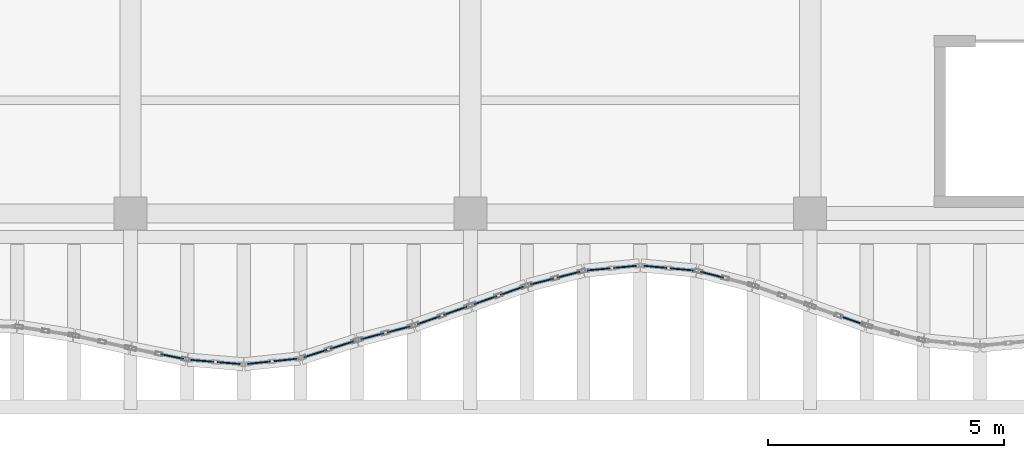
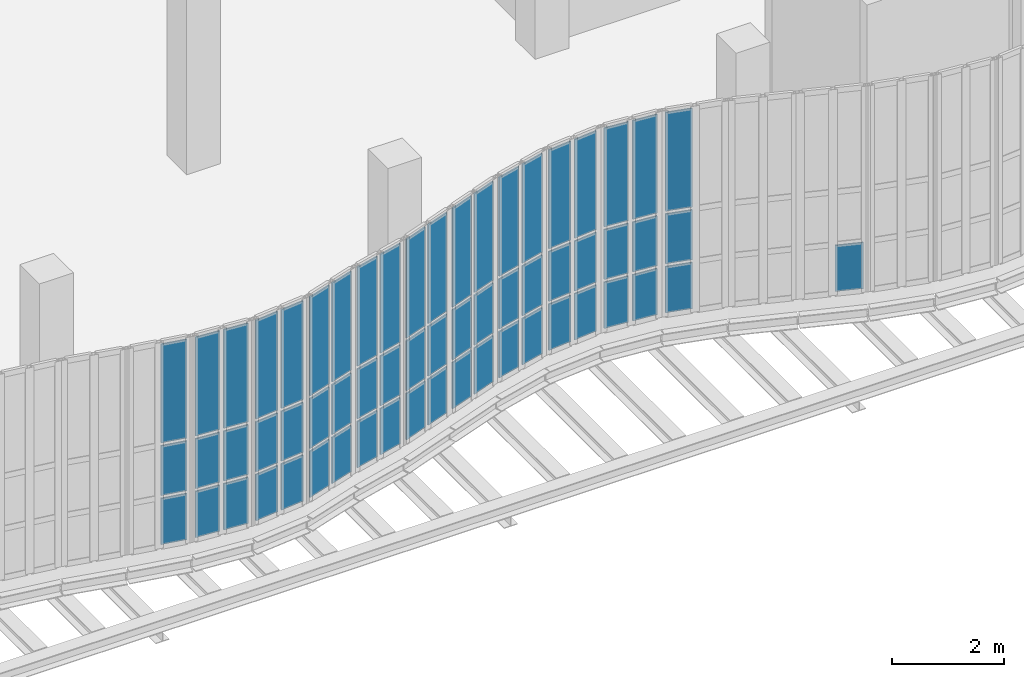
# One storey, part 80 of 108: 61 plates, 12 elements without a shape of their own.
"""IFC4 building model written with IfcOpenShell, lengths in metres."""

from ifc_helpers import new_model, si_unit, direction, frame, origin, origin_2d, place, context, subcontext, project, spatial, rectangle, extrude, material, layer, layer_set, type_object, element, aggregate, save


model = new_model("IFC4")

# Units and contexts
model_context = context("Model", 3, precision=1e-05, world=origin(), true_north=direction((0.0, 1.0)))
body_context = subcontext(model_context, "Body", "Model", "MODEL_VIEW")
ifc_project = project(units=[si_unit("LENGTHUNIT", "METRE"), si_unit("AREAUNIT", "SQUARE_METRE"), si_unit("VOLUMEUNIT", "CUBIC_METRE"), si_unit("PLANEANGLEUNIT", "RADIAN"), si_unit("MASSUNIT", "GRAM", prefix="KILO"), si_unit("THERMODYNAMICTEMPERATUREUNIT", "KELVIN"), si_unit("POWERUNIT", "WATT")], contexts=[model_context])

# Site, building, storey
site_placement = place(None, origin())
site = spatial("IfcSite", under=ifc_project, at=site_placement, CompositionType="ELEMENT")
building_placement = place(site_placement, origin())
building = spatial("IfcBuilding", under=site, at=building_placement, Name="Kaldorven Railside Theatre", CompositionType="ELEMENT")
storey_placement = place(building_placement, frame((0.0, 0.0, 5.39990234375)))
storey = spatial("IfcBuildingStorey", under=building, at=storey_placement, Name="L01", CompositionType="ELEMENT", Elevation=5.39990234375)

# Curtain wall, plates
ifc_material = material(Name="Low-E laminated solar-control glass", Category="glass")
ifc_layer_1 = layer(ifc_material, 0.159912109375, Name="Low-E laminated solar-control glass")
ifc_layer_set_1 = layer_set([ifc_layer_1], Name="Low-E laminated solar-control glass")
curtain_wall_type_1 = type_object("IfcCurtainWallType", Name="CWT-07", PredefinedType="USERDEFINED", material=ifc_layer_set_1)
curtain_wall_1_placement = place(storey_placement, origin())
curtain_wall_1 = element("IfcCurtainWall", 1, at=curtain_wall_1_placement, inside=storey, type_object=curtain_wall_type_1, Name="Sinusoidal Fluted Curtain Wall CW-L01-S43", ObjectType="FLUTED GLAZING", PredefinedType="USERDEFINED")
ifc_layer_2 = layer(ifc_material, 0.028076171875, Name="Low-E laminated solar-control glass")
ifc_layer_set_2 = layer_set([ifc_layer_2], Name="Low-E laminated solar-control glass")
plate_type = type_object("IfcPlateType", Name="CWP-GLZ28", PredefinedType="CURTAIN_PANEL", material=ifc_layer_set_2)
plate_1_placement = place(storey_placement, frame((88.080322265625, 16.169189453125, 0.06005859375), z_axis=(0.0, 0.0, 1.0), x_axis=(0.980122525097, -0.198393134453, 0.0)))
plate_1 = element("IfcPlate", 2, at=plate_1_placement, type_object=plate_type, Name="CW-L01-S43 panel 2.1", PredefinedType="CURTAIN_PANEL", context=body_context, shape_type="SweptSolid", body=[
    extrude(rectangle(XDim=0.4921875, YDim=0.028076171875, at=origin_2d()), origin(), (0.0, 0.0, 1.0), 1.010009765625),
])
plate_2_placement = place(storey_placement, frame((88.080322265625, 16.169189453125, 1.1298828125), z_axis=(0.0, 0.0, 1.0), x_axis=(0.980122525097, -0.198393134453, 0.0)))
plate_2 = element("IfcPlate", 3, at=plate_2_placement, type_object=plate_type, Name="CW-L01-S43 panel 2.2", PredefinedType="CURTAIN_PANEL", context=body_context, shape_type="SweptSolid", body=[
    extrude(rectangle(XDim=0.4921875, YDim=0.028076171875, at=origin_2d()), origin(), (0.0, 0.0, 1.0), 1.090087890625),
])
plate_3_placement = place(storey_placement, frame((88.080322265625, 16.169189453125, 2.2802734375), z_axis=(0.0, 0.0, 1.0), x_axis=(0.980122525097, -0.198393134453, 0.0)))
plate_3 = element("IfcPlate", 4, at=plate_3_placement, type_object=plate_type, Name="CW-L01-S43 panel 2.3", PredefinedType="CURTAIN_PANEL", context=body_context, shape_type="SweptSolid", body=[
    extrude(rectangle(XDim=0.4921875, YDim=0.028076171875, at=origin_2d()), origin(), (0.0, 0.0, 1.0), 2.159912109375),
])
aggregate(curtain_wall_1, [plate_1, plate_2, plate_3])

ifc_layer_3 = layer(ifc_material, 0.159912109375, Name="Low-E laminated solar-control glass")
ifc_layer_set_3 = layer_set([ifc_layer_3], Name="Low-E laminated solar-control glass")
curtain_wall_type_2 = type_object("IfcCurtainWallType", Name="CWT-03", PredefinedType="USERDEFINED", material=ifc_layer_set_3)
curtain_wall_2_placement = place(storey_placement, origin())
curtain_wall_2 = element("IfcCurtainWall", 5, at=curtain_wall_2_placement, inside=storey, type_object=curtain_wall_type_2, Name="Sinusoidal Fluted Curtain Wall CW-L01-S44", ObjectType="FLUTED GLAZING", PredefinedType="USERDEFINED")
plate_4_placement = place(storey_placement, frame((88.719970703125, 16.07763671875, 0.06005859375), z_axis=(0.0, 0.0, 1.0), x_axis=(0.996531999326, -0.08321042194, 0.0)))
plate_4 = element("IfcPlate", 6, at=plate_4_placement, type_object=plate_type, Name="CW-L01-S44 panel 1.1", PredefinedType="CURTAIN_PANEL", context=body_context, shape_type="SweptSolid", body=[
    extrude(rectangle(XDim=0.482177734375, YDim=0.028076171875, at=origin_2d()), origin(), (0.0, 0.0, 1.0), 1.010009765625),
])
plate_5_placement = place(storey_placement, frame((88.719970703125, 16.07763671875, 1.1298828125), z_axis=(0.0, 0.0, 1.0), x_axis=(0.996531999326, -0.08321042194, 0.0)))
plate_5 = element("IfcPlate", 7, at=plate_5_placement, type_object=plate_type, Name="CW-L01-S44 panel 1.2", PredefinedType="CURTAIN_PANEL", context=body_context, shape_type="SweptSolid", body=[
    extrude(rectangle(XDim=0.482177734375, YDim=0.028076171875, at=origin_2d()), origin(), (0.0, 0.0, 1.0), 1.090087890625),
])
plate_6_placement = place(storey_placement, frame((88.719970703125, 16.07763671875, 2.2802734375), z_axis=(0.0, 0.0, 1.0), x_axis=(0.996531999326, -0.08321042194, 0.0)))
plate_6 = element("IfcPlate", 8, at=plate_6_placement, type_object=plate_type, Name="CW-L01-S44 panel 1.3", PredefinedType="CURTAIN_PANEL", context=body_context, shape_type="SweptSolid", body=[
    extrude(rectangle(XDim=0.482177734375, YDim=0.028076171875, at=origin_2d()), origin(), (0.0, 0.0, 1.0), 2.159912109375),
])
plate_7_placement = place(storey_placement, frame((89.280029296875, 16.031005859375, 0.06005859375), z_axis=(0.0, 0.0, 1.0), x_axis=(0.996531999326, -0.08321042194, 0.0)))
plate_7 = element("IfcPlate", 9, at=plate_7_placement, type_object=plate_type, Name="CW-L01-S44 panel 2.1", PredefinedType="CURTAIN_PANEL", context=body_context, shape_type="SweptSolid", body=[
    extrude(rectangle(XDim=0.482177734375, YDim=0.028076171875, at=origin_2d()), origin(), (0.0, 0.0, 1.0), 1.010009765625),
])
plate_8_placement = place(storey_placement, frame((89.280029296875, 16.031005859375, 1.1298828125), z_axis=(0.0, 0.0, 1.0), x_axis=(0.996531999326, -0.08321042194, 0.0)))
plate_8 = element("IfcPlate", 10, at=plate_8_placement, type_object=plate_type, Name="CW-L01-S44 panel 2.2", PredefinedType="CURTAIN_PANEL", context=body_context, shape_type="SweptSolid", body=[
    extrude(rectangle(XDim=0.482177734375, YDim=0.028076171875, at=origin_2d()), origin(), (0.0, 0.0, 1.0), 1.090087890625),
])
plate_9_placement = place(storey_placement, frame((89.280029296875, 16.031005859375, 2.2802734375), z_axis=(0.0, 0.0, 1.0), x_axis=(0.996531999326, -0.08321042194, 0.0)))
plate_9 = element("IfcPlate", 11, at=plate_9_placement, type_object=plate_type, Name="CW-L01-S44 panel 2.3", PredefinedType="CURTAIN_PANEL", context=body_context, shape_type="SweptSolid", body=[
    extrude(rectangle(XDim=0.482177734375, YDim=0.028076171875, at=origin_2d()), origin(), (0.0, 0.0, 1.0), 2.159912109375),
])
aggregate(curtain_wall_2, [plate_4, plate_5, plate_6, plate_7, plate_8, plate_9])

curtain_wall_3_placement = place(storey_placement, origin())
curtain_wall_3 = element("IfcCurtainWall", 12, at=curtain_wall_3_placement, inside=storey, type_object=curtain_wall_type_2, Name="Sinusoidal Fluted Curtain Wall CW-L01-S45", ObjectType="FLUTED GLAZING", PredefinedType="USERDEFINED")
plate_10_placement = place(storey_placement, frame((89.919921875, 16.037841796875, 0.06005859375), z_axis=(0.0, 0.0, 1.0), x_axis=(0.994524056135, 0.104507902898, 0.0)))
plate_10 = element("IfcPlate", 13, at=plate_10_placement, type_object=plate_type, Name="CW-L01-S45 panel 1.1", PredefinedType="CURTAIN_PANEL", context=body_context, shape_type="SweptSolid", body=[
    extrude(rectangle(XDim=0.4833984375, YDim=0.028076171875, at=origin_2d()), origin(), (0.0, 0.0, 1.0), 1.010009765625),
])
plate_11_placement = place(storey_placement, frame((89.919921875, 16.037841796875, 1.1298828125), z_axis=(0.0, 0.0, 1.0), x_axis=(0.994524056135, 0.104507902898, 0.0)))
plate_11 = element("IfcPlate", 14, at=plate_11_placement, type_object=plate_type, Name="CW-L01-S45 panel 1.2", PredefinedType="CURTAIN_PANEL", context=body_context, shape_type="SweptSolid", body=[
    extrude(rectangle(XDim=0.4833984375, YDim=0.028076171875, at=origin_2d()), origin(), (0.0, 0.0, 1.0), 1.090087890625),
])
plate_12_placement = place(storey_placement, frame((89.919921875, 16.037841796875, 2.2802734375), z_axis=(0.0, 0.0, 1.0), x_axis=(0.994524056135, 0.104507902898, 0.0)))
plate_12 = element("IfcPlate", 15, at=plate_12_placement, type_object=plate_type, Name="CW-L01-S45 panel 1.3", PredefinedType="CURTAIN_PANEL", context=body_context, shape_type="SweptSolid", body=[
    extrude(rectangle(XDim=0.4833984375, YDim=0.028076171875, at=origin_2d()), origin(), (0.0, 0.0, 1.0), 2.159912109375),
])
plate_13_placement = place(storey_placement, frame((90.480224609375, 16.0966796875, 0.06005859375), z_axis=(0.0, 0.0, 1.0), x_axis=(0.994524056135, 0.104507902898, 0.0)))
plate_13 = element("IfcPlate", 16, at=plate_13_placement, type_object=plate_type, Name="CW-L01-S45 panel 2.1", PredefinedType="CURTAIN_PANEL", context=body_context, shape_type="SweptSolid", body=[
    extrude(rectangle(XDim=0.4833984375, YDim=0.028076171875, at=origin_2d()), origin(), (0.0, 0.0, 1.0), 1.010009765625),
])
plate_14_placement = place(storey_placement, frame((90.480224609375, 16.0966796875, 1.1298828125), z_axis=(0.0, 0.0, 1.0), x_axis=(0.994524056135, 0.104507902898, 0.0)))
plate_14 = element("IfcPlate", 17, at=plate_14_placement, type_object=plate_type, Name="CW-L01-S45 panel 2.2", PredefinedType="CURTAIN_PANEL", context=body_context, shape_type="SweptSolid", body=[
    extrude(rectangle(XDim=0.4833984375, YDim=0.028076171875, at=origin_2d()), origin(), (0.0, 0.0, 1.0), 1.090087890625),
])
plate_15_placement = place(storey_placement, frame((90.480224609375, 16.0966796875, 2.2802734375), z_axis=(0.0, 0.0, 1.0), x_axis=(0.994524056135, 0.104507902898, 0.0)))
plate_15 = element("IfcPlate", 18, at=plate_15_placement, type_object=plate_type, Name="CW-L01-S45 panel 2.3", PredefinedType="CURTAIN_PANEL", context=body_context, shape_type="SweptSolid", body=[
    extrude(rectangle(XDim=0.4833984375, YDim=0.028076171875, at=origin_2d()), origin(), (0.0, 0.0, 1.0), 2.159912109375),
])
aggregate(curtain_wall_3, [plate_10, plate_11, plate_12, plate_13, plate_14, plate_15])

ifc_layer_4 = layer(ifc_material, 0.159912109375, Name="Low-E laminated solar-control glass")
ifc_layer_set_4 = layer_set([ifc_layer_4], Name="Low-E laminated solar-control glass")
curtain_wall_type_3 = type_object("IfcCurtainWallType", Name="CWT-04", PredefinedType="USERDEFINED", material=ifc_layer_set_4)
curtain_wall_4_placement = place(storey_placement, origin())
curtain_wall_4 = element("IfcCurtainWall", 19, at=curtain_wall_4_placement, inside=storey, type_object=curtain_wall_type_3, Name="Sinusoidal Fluted Curtain Wall CW-L01-S46", ObjectType="FLUTED GLAZING", PredefinedType="USERDEFINED")
plate_16_placement = place(storey_placement, frame((91.119140625, 16.232177734375, 0.06005859375), z_axis=(0.0, 0.0, 1.0), x_axis=(0.952516267779, 0.304487700272, 0.0)))
plate_16 = element("IfcPlate", 20, at=plate_16_placement, type_object=plate_type, Name="CW-L01-S46 panel 1.1", PredefinedType="CURTAIN_PANEL", context=body_context, shape_type="SweptSolid", body=[
    extrude(rectangle(XDim=0.510009765625, YDim=0.028076171875, at=origin_2d()), origin(), (0.0, 0.0, 1.0), 1.010009765625),
])
plate_17_placement = place(storey_placement, frame((91.119140625, 16.232177734375, 1.1298828125), z_axis=(0.0, 0.0, 1.0), x_axis=(0.952516267779, 0.304487700272, 0.0)))
plate_17 = element("IfcPlate", 21, at=plate_17_placement, type_object=plate_type, Name="CW-L01-S46 panel 1.2", PredefinedType="CURTAIN_PANEL", context=body_context, shape_type="SweptSolid", body=[
    extrude(rectangle(XDim=0.510009765625, YDim=0.028076171875, at=origin_2d()), origin(), (0.0, 0.0, 1.0), 1.090087890625),
])
plate_18_placement = place(storey_placement, frame((91.119140625, 16.232177734375, 2.2802734375), z_axis=(0.0, 0.0, 1.0), x_axis=(0.952516267779, 0.304487700272, 0.0)))
plate_18 = element("IfcPlate", 22, at=plate_18_placement, type_object=plate_type, Name="CW-L01-S46 panel 1.3", PredefinedType="CURTAIN_PANEL", context=body_context, shape_type="SweptSolid", body=[
    extrude(rectangle(XDim=0.510009765625, YDim=0.028076171875, at=origin_2d()), origin(), (0.0, 0.0, 1.0), 2.159912109375),
])
plate_19_placement = place(storey_placement, frame((91.680908203125, 16.411865234375, 0.06005859375), z_axis=(0.0, 0.0, 1.0), x_axis=(0.952516267779, 0.304487700272, 0.0)))
plate_19 = element("IfcPlate", 23, at=plate_19_placement, type_object=plate_type, Name="CW-L01-S46 panel 2.1", PredefinedType="CURTAIN_PANEL", context=body_context, shape_type="SweptSolid", body=[
    extrude(rectangle(XDim=0.510009765625, YDim=0.028076171875, at=origin_2d()), origin(), (0.0, 0.0, 1.0), 1.010009765625),
])
plate_20_placement = place(storey_placement, frame((91.680908203125, 16.411865234375, 1.1298828125), z_axis=(0.0, 0.0, 1.0), x_axis=(0.952516267779, 0.304487700272, 0.0)))
plate_20 = element("IfcPlate", 24, at=plate_20_placement, type_object=plate_type, Name="CW-L01-S46 panel 2.2", PredefinedType="CURTAIN_PANEL", context=body_context, shape_type="SweptSolid", body=[
    extrude(rectangle(XDim=0.510009765625, YDim=0.028076171875, at=origin_2d()), origin(), (0.0, 0.0, 1.0), 1.090087890625),
])
plate_21_placement = place(storey_placement, frame((91.680908203125, 16.411865234375, 2.2802734375), z_axis=(0.0, 0.0, 1.0), x_axis=(0.952516267779, 0.304487700272, 0.0)))
plate_21 = element("IfcPlate", 25, at=plate_21_placement, type_object=plate_type, Name="CW-L01-S46 panel 2.3", PredefinedType="CURTAIN_PANEL", context=body_context, shape_type="SweptSolid", body=[
    extrude(rectangle(XDim=0.510009765625, YDim=0.028076171875, at=origin_2d()), origin(), (0.0, 0.0, 1.0), 2.159912109375),
])
aggregate(curtain_wall_4, [plate_16, plate_17, plate_18, plate_19, plate_20, plate_21])

ifc_layer_5 = layer(ifc_material, 0.159912109375, Name="Low-E laminated solar-control glass")
ifc_layer_set_5 = layer_set([ifc_layer_5], Name="Low-E laminated solar-control glass")
curtain_wall_type_4 = type_object("IfcCurtainWallType", Name="CWT-02", PredefinedType="USERDEFINED", material=ifc_layer_set_5)
curtain_wall_5_placement = place(storey_placement, origin())
curtain_wall_5 = element("IfcCurtainWall", 26, at=curtain_wall_5_placement, inside=storey, type_object=curtain_wall_type_4, Name="Sinusoidal Fluted Curtain Wall CW-L01-S47", ObjectType="FLUTED GLAZING", PredefinedType="USERDEFINED")
plate_22_placement = place(storey_placement, frame((92.3193359375, 16.5966796875, 0.06005859375), z_axis=(0.0, 0.0, 1.0), x_axis=(0.967999075505, 0.250953760326, 0.0)))
plate_22 = element("IfcPlate", 27, at=plate_22_placement, type_object=plate_type, Name="CW-L01-S47 panel 1.1", PredefinedType="CURTAIN_PANEL", context=body_context, shape_type="SweptSolid", body=[
    extrude(rectangle(XDim=0.499755859375, YDim=0.028076171875, at=origin_2d()), origin(), (0.0, 0.0, 1.0), 1.010009765625),
])
plate_23_placement = place(storey_placement, frame((92.3193359375, 16.5966796875, 1.1298828125), z_axis=(0.0, 0.0, 1.0), x_axis=(0.967999075505, 0.250953760326, 0.0)))
plate_23 = element("IfcPlate", 28, at=plate_23_placement, type_object=plate_type, Name="CW-L01-S47 panel 1.2", PredefinedType="CURTAIN_PANEL", context=body_context, shape_type="SweptSolid", body=[
    extrude(rectangle(XDim=0.499755859375, YDim=0.028076171875, at=origin_2d()), origin(), (0.0, 0.0, 1.0), 1.090087890625),
])
plate_24_placement = place(storey_placement, frame((92.3193359375, 16.5966796875, 2.2802734375), z_axis=(0.0, 0.0, 1.0), x_axis=(0.967999075505, 0.250953760326, 0.0)))
plate_24 = element("IfcPlate", 29, at=plate_24_placement, type_object=plate_type, Name="CW-L01-S47 panel 1.3", PredefinedType="CURTAIN_PANEL", context=body_context, shape_type="SweptSolid", body=[
    extrude(rectangle(XDim=0.499755859375, YDim=0.028076171875, at=origin_2d()), origin(), (0.0, 0.0, 1.0), 2.159912109375),
])
plate_25_placement = place(storey_placement, frame((92.880615234375, 16.7421875, 0.06005859375), z_axis=(0.0, 0.0, 1.0), x_axis=(0.967999075505, 0.250953760326, 0.0)))
plate_25 = element("IfcPlate", 30, at=plate_25_placement, type_object=plate_type, Name="CW-L01-S47 panel 2.1", PredefinedType="CURTAIN_PANEL", context=body_context, shape_type="SweptSolid", body=[
    extrude(rectangle(XDim=0.499755859375, YDim=0.028076171875, at=origin_2d()), origin(), (0.0, 0.0, 1.0), 1.010009765625),
])
plate_26_placement = place(storey_placement, frame((92.880615234375, 16.7421875, 1.1298828125), z_axis=(0.0, 0.0, 1.0), x_axis=(0.967999075505, 0.250953760326, 0.0)))
plate_26 = element("IfcPlate", 31, at=plate_26_placement, type_object=plate_type, Name="CW-L01-S47 panel 2.2", PredefinedType="CURTAIN_PANEL", context=body_context, shape_type="SweptSolid", body=[
    extrude(rectangle(XDim=0.499755859375, YDim=0.028076171875, at=origin_2d()), origin(), (0.0, 0.0, 1.0), 1.090087890625),
])
plate_27_placement = place(storey_placement, frame((92.880615234375, 16.7421875, 2.2802734375), z_axis=(0.0, 0.0, 1.0), x_axis=(0.967999075505, 0.250953760326, 0.0)))
plate_27 = element("IfcPlate", 32, at=plate_27_placement, type_object=plate_type, Name="CW-L01-S47 panel 2.3", PredefinedType="CURTAIN_PANEL", context=body_context, shape_type="SweptSolid", body=[
    extrude(rectangle(XDim=0.499755859375, YDim=0.028076171875, at=origin_2d()), origin(), (0.0, 0.0, 1.0), 2.159912109375),
])
aggregate(curtain_wall_5, [plate_22, plate_23, plate_24, plate_25, plate_26, plate_27])

ifc_layer_6 = layer(ifc_material, 0.159912109375, Name="Low-E laminated solar-control glass")
ifc_layer_set_6 = layer_set([ifc_layer_6], Name="Low-E laminated solar-control glass")
curtain_wall_type_5 = type_object("IfcCurtainWallType", Name="CWT-01", PredefinedType="USERDEFINED", material=ifc_layer_set_6)
curtain_wall_6_placement = place(storey_placement, origin())
curtain_wall_6 = element("IfcCurtainWall", 33, at=curtain_wall_6_placement, inside=storey, type_object=curtain_wall_type_5, Name="Sinusoidal Fluted Curtain Wall CW-L01-S48", ObjectType="FLUTED GLAZING", PredefinedType="USERDEFINED")
plate_28_placement = place(storey_placement, frame((93.518798828125, 16.93798828125, 0.06005859375), z_axis=(0.0, 0.0, 1.0), x_axis=(0.942627225159, 0.33384714225, 0.0)))
plate_28 = element("IfcPlate", 34, at=plate_28_placement, type_object=plate_type, Name="CW-L01-S48 panel 1.1", PredefinedType="CURTAIN_PANEL", context=body_context, shape_type="SweptSolid", body=[
    extrude(rectangle(XDim=0.5166015625, YDim=0.028076171875, at=origin_2d()), origin(), (0.0, 0.0, 1.0), 1.010009765625),
])
plate_29_placement = place(storey_placement, frame((93.518798828125, 16.93798828125, 1.1298828125), z_axis=(0.0, 0.0, 1.0), x_axis=(0.942627225159, 0.33384714225, 0.0)))
plate_29 = element("IfcPlate", 35, at=plate_29_placement, type_object=plate_type, Name="CW-L01-S48 panel 1.2", PredefinedType="CURTAIN_PANEL", context=body_context, shape_type="SweptSolid", body=[
    extrude(rectangle(XDim=0.5166015625, YDim=0.028076171875, at=origin_2d()), origin(), (0.0, 0.0, 1.0), 1.090087890625),
])
plate_30_placement = place(storey_placement, frame((93.518798828125, 16.93798828125, 2.2802734375), z_axis=(0.0, 0.0, 1.0), x_axis=(0.942627225159, 0.33384714225, 0.0)))
plate_30 = element("IfcPlate", 36, at=plate_30_placement, type_object=plate_type, Name="CW-L01-S48 panel 1.3", PredefinedType="CURTAIN_PANEL", context=body_context, shape_type="SweptSolid", body=[
    extrude(rectangle(XDim=0.5166015625, YDim=0.028076171875, at=origin_2d()), origin(), (0.0, 0.0, 1.0), 2.159912109375),
])
plate_31_placement = place(storey_placement, frame((94.0810546875, 17.136962890625, 0.06005859375), z_axis=(0.0, 0.0, 1.0), x_axis=(0.942627225159, 0.33384714225, 0.0)))
plate_31 = element("IfcPlate", 37, at=plate_31_placement, type_object=plate_type, Name="CW-L01-S48 panel 2.1", PredefinedType="CURTAIN_PANEL", context=body_context, shape_type="SweptSolid", body=[
    extrude(rectangle(XDim=0.5166015625, YDim=0.028076171875, at=origin_2d()), origin(), (0.0, 0.0, 1.0), 1.010009765625),
])
plate_32_placement = place(storey_placement, frame((94.0810546875, 17.136962890625, 1.1298828125), z_axis=(0.0, 0.0, 1.0), x_axis=(0.942627225159, 0.33384714225, 0.0)))
plate_32 = element("IfcPlate", 38, at=plate_32_placement, type_object=plate_type, Name="CW-L01-S48 panel 2.2", PredefinedType="CURTAIN_PANEL", context=body_context, shape_type="SweptSolid", body=[
    extrude(rectangle(XDim=0.5166015625, YDim=0.028076171875, at=origin_2d()), origin(), (0.0, 0.0, 1.0), 1.090087890625),
])
plate_33_placement = place(storey_placement, frame((94.0810546875, 17.136962890625, 2.2802734375), z_axis=(0.0, 0.0, 1.0), x_axis=(0.942627225159, 0.33384714225, 0.0)))
plate_33 = element("IfcPlate", 39, at=plate_33_placement, type_object=plate_type, Name="CW-L01-S48 panel 2.3", PredefinedType="CURTAIN_PANEL", context=body_context, shape_type="SweptSolid", body=[
    extrude(rectangle(XDim=0.5166015625, YDim=0.028076171875, at=origin_2d()), origin(), (0.0, 0.0, 1.0), 2.159912109375),
])
aggregate(curtain_wall_6, [plate_28, plate_29, plate_30, plate_31, plate_32, plate_33])

curtain_wall_7_placement = place(storey_placement, origin())
curtain_wall_7 = element("IfcCurtainWall", 40, at=curtain_wall_7_placement, inside=storey, type_object=curtain_wall_type_5, Name="Sinusoidal Fluted Curtain Wall CW-L01-S49", ObjectType="FLUTED GLAZING", PredefinedType="USERDEFINED")
plate_34_placement = place(storey_placement, frame((94.71875, 17.363037109375, 0.06005859375), z_axis=(0.0, 0.0, 1.0), x_axis=(0.942627225159, 0.33384714225, 0.0)))
plate_34 = element("IfcPlate", 41, at=plate_34_placement, type_object=plate_type, Name="CW-L01-S49 panel 1.1", PredefinedType="CURTAIN_PANEL", context=body_context, shape_type="SweptSolid", body=[
    extrude(rectangle(XDim=0.5166015625, YDim=0.028076171875, at=origin_2d()), origin(), (0.0, 0.0, 1.0), 1.010009765625),
])
plate_35_placement = place(storey_placement, frame((94.71875, 17.363037109375, 1.1298828125), z_axis=(0.0, 0.0, 1.0), x_axis=(0.942627225159, 0.33384714225, 0.0)))
plate_35 = element("IfcPlate", 42, at=plate_35_placement, type_object=plate_type, Name="CW-L01-S49 panel 1.2", PredefinedType="CURTAIN_PANEL", context=body_context, shape_type="SweptSolid", body=[
    extrude(rectangle(XDim=0.5166015625, YDim=0.028076171875, at=origin_2d()), origin(), (0.0, 0.0, 1.0), 1.090087890625),
])
plate_36_placement = place(storey_placement, frame((94.71875, 17.363037109375, 2.2802734375), z_axis=(0.0, 0.0, 1.0), x_axis=(0.942627225159, 0.33384714225, 0.0)))
plate_36 = element("IfcPlate", 43, at=plate_36_placement, type_object=plate_type, Name="CW-L01-S49 panel 1.3", PredefinedType="CURTAIN_PANEL", context=body_context, shape_type="SweptSolid", body=[
    extrude(rectangle(XDim=0.5166015625, YDim=0.028076171875, at=origin_2d()), origin(), (0.0, 0.0, 1.0), 2.159912109375),
])
plate_37_placement = place(storey_placement, frame((95.28125, 17.56201171875, 0.06005859375), z_axis=(0.0, 0.0, 1.0), x_axis=(0.942627225159, 0.33384714225, 0.0)))
plate_37 = element("IfcPlate", 44, at=plate_37_placement, type_object=plate_type, Name="CW-L01-S49 panel 2.1", PredefinedType="CURTAIN_PANEL", context=body_context, shape_type="SweptSolid", body=[
    extrude(rectangle(XDim=0.5166015625, YDim=0.028076171875, at=origin_2d()), origin(), (0.0, 0.0, 1.0), 1.010009765625),
])
plate_38_placement = place(storey_placement, frame((95.28125, 17.56201171875, 1.1298828125), z_axis=(0.0, 0.0, 1.0), x_axis=(0.942627225159, 0.33384714225, 0.0)))
plate_38 = element("IfcPlate", 45, at=plate_38_placement, type_object=plate_type, Name="CW-L01-S49 panel 2.2", PredefinedType="CURTAIN_PANEL", context=body_context, shape_type="SweptSolid", body=[
    extrude(rectangle(XDim=0.5166015625, YDim=0.028076171875, at=origin_2d()), origin(), (0.0, 0.0, 1.0), 1.090087890625),
])
plate_39_placement = place(storey_placement, frame((95.28125, 17.56201171875, 2.2802734375), z_axis=(0.0, 0.0, 1.0), x_axis=(0.942627225159, 0.33384714225, 0.0)))
plate_39 = element("IfcPlate", 46, at=plate_39_placement, type_object=plate_type, Name="CW-L01-S49 panel 2.3", PredefinedType="CURTAIN_PANEL", context=body_context, shape_type="SweptSolid", body=[
    extrude(rectangle(XDim=0.5166015625, YDim=0.028076171875, at=origin_2d()), origin(), (0.0, 0.0, 1.0), 2.159912109375),
])
aggregate(curtain_wall_7, [plate_34, plate_35, plate_36, plate_37, plate_38, plate_39])

curtain_wall_8_placement = place(storey_placement, origin())
curtain_wall_8 = element("IfcCurtainWall", 47, at=curtain_wall_8_placement, inside=storey, type_object=curtain_wall_type_4, Name="Sinusoidal Fluted Curtain Wall CW-L01-S50", ObjectType="FLUTED GLAZING", PredefinedType="USERDEFINED")
plate_40_placement = place(storey_placement, frame((95.91943359375, 17.7578125, 0.06005859375), z_axis=(0.0, 0.0, 1.0), x_axis=(0.967999075505, 0.250953760326, 0.0)))
plate_40 = element("IfcPlate", 48, at=plate_40_placement, type_object=plate_type, Name="CW-L01-S50 panel 1.1", PredefinedType="CURTAIN_PANEL", context=body_context, shape_type="SweptSolid", body=[
    extrude(rectangle(XDim=0.499755859375, YDim=0.028076171875, at=origin_2d()), origin(), (0.0, 0.0, 1.0), 1.010009765625),
])
plate_41_placement = place(storey_placement, frame((95.91943359375, 17.7578125, 1.1298828125), z_axis=(0.0, 0.0, 1.0), x_axis=(0.967999075505, 0.250953760326, 0.0)))
plate_41 = element("IfcPlate", 49, at=plate_41_placement, type_object=plate_type, Name="CW-L01-S50 panel 1.2", PredefinedType="CURTAIN_PANEL", context=body_context, shape_type="SweptSolid", body=[
    extrude(rectangle(XDim=0.499755859375, YDim=0.028076171875, at=origin_2d()), origin(), (0.0, 0.0, 1.0), 1.090087890625),
])
plate_42_placement = place(storey_placement, frame((95.91943359375, 17.7578125, 2.2802734375), z_axis=(0.0, 0.0, 1.0), x_axis=(0.967999075505, 0.250953760326, 0.0)))
plate_42 = element("IfcPlate", 50, at=plate_42_placement, type_object=plate_type, Name="CW-L01-S50 panel 1.3", PredefinedType="CURTAIN_PANEL", context=body_context, shape_type="SweptSolid", body=[
    extrude(rectangle(XDim=0.499755859375, YDim=0.028076171875, at=origin_2d()), origin(), (0.0, 0.0, 1.0), 2.159912109375),
])
plate_43_placement = place(storey_placement, frame((96.480712890625, 17.9033203125, 0.06005859375), z_axis=(0.0, 0.0, 1.0), x_axis=(0.967999075505, 0.250953760326, 0.0)))
plate_43 = element("IfcPlate", 51, at=plate_43_placement, type_object=plate_type, Name="CW-L01-S50 panel 2.1", PredefinedType="CURTAIN_PANEL", context=body_context, shape_type="SweptSolid", body=[
    extrude(rectangle(XDim=0.499755859375, YDim=0.028076171875, at=origin_2d()), origin(), (0.0, 0.0, 1.0), 1.010009765625),
])
plate_44_placement = place(storey_placement, frame((96.480712890625, 17.9033203125, 1.1298828125), z_axis=(0.0, 0.0, 1.0), x_axis=(0.967999075505, 0.250953760326, 0.0)))
plate_44 = element("IfcPlate", 52, at=plate_44_placement, type_object=plate_type, Name="CW-L01-S50 panel 2.2", PredefinedType="CURTAIN_PANEL", context=body_context, shape_type="SweptSolid", body=[
    extrude(rectangle(XDim=0.499755859375, YDim=0.028076171875, at=origin_2d()), origin(), (0.0, 0.0, 1.0), 1.090087890625),
])
plate_45_placement = place(storey_placement, frame((96.480712890625, 17.9033203125, 2.2802734375), z_axis=(0.0, 0.0, 1.0), x_axis=(0.967999075505, 0.250953760326, 0.0)))
plate_45 = element("IfcPlate", 53, at=plate_45_placement, type_object=plate_type, Name="CW-L01-S50 panel 2.3", PredefinedType="CURTAIN_PANEL", context=body_context, shape_type="SweptSolid", body=[
    extrude(rectangle(XDim=0.499755859375, YDim=0.028076171875, at=origin_2d()), origin(), (0.0, 0.0, 1.0), 2.159912109375),
])
aggregate(curtain_wall_8, [plate_40, plate_41, plate_42, plate_43, plate_44, plate_45])

curtain_wall_9_placement = place(storey_placement, origin())
curtain_wall_9 = element("IfcCurtainWall", 54, at=curtain_wall_9_placement, inside=storey, type_object=curtain_wall_type_2, Name="Sinusoidal Fluted Curtain Wall CW-L01-S51", ObjectType="FLUTED GLAZING", PredefinedType="USERDEFINED")
plate_46_placement = place(storey_placement, frame((97.119873046875, 18.016357421875, 0.06005859375), z_axis=(0.0, 0.0, 1.0), x_axis=(0.995525623425, 0.094491973758, 0.0)))
plate_46 = element("IfcPlate", 55, at=plate_46_placement, type_object=plate_type, Name="CW-L01-S51 panel 1.1", PredefinedType="CURTAIN_PANEL", context=body_context, shape_type="SweptSolid", body=[
    extrude(rectangle(XDim=0.482666015625, YDim=0.028076171875, at=origin_2d()), origin(), (0.0, 0.0, 1.0), 1.010009765625),
])
plate_47_placement = place(storey_placement, frame((97.119873046875, 18.016357421875, 1.1298828125), z_axis=(0.0, 0.0, 1.0), x_axis=(0.995525623425, 0.094491973758, 0.0)))
plate_47 = element("IfcPlate", 56, at=plate_47_placement, type_object=plate_type, Name="CW-L01-S51 panel 1.2", PredefinedType="CURTAIN_PANEL", context=body_context, shape_type="SweptSolid", body=[
    extrude(rectangle(XDim=0.482666015625, YDim=0.028076171875, at=origin_2d()), origin(), (0.0, 0.0, 1.0), 1.090087890625),
])
plate_48_placement = place(storey_placement, frame((97.119873046875, 18.016357421875, 2.2802734375), z_axis=(0.0, 0.0, 1.0), x_axis=(0.995525623425, 0.094491973758, 0.0)))
plate_48 = element("IfcPlate", 57, at=plate_48_placement, type_object=plate_type, Name="CW-L01-S51 panel 1.3", PredefinedType="CURTAIN_PANEL", context=body_context, shape_type="SweptSolid", body=[
    extrude(rectangle(XDim=0.482666015625, YDim=0.028076171875, at=origin_2d()), origin(), (0.0, 0.0, 1.0), 2.159912109375),
])
plate_49_placement = place(storey_placement, frame((97.68017578125, 18.069580078125, 0.06005859375), z_axis=(0.0, 0.0, 1.0), x_axis=(0.995525623425, 0.094491973758, 0.0)))
plate_49 = element("IfcPlate", 58, at=plate_49_placement, type_object=plate_type, Name="CW-L01-S51 panel 2.1", PredefinedType="CURTAIN_PANEL", context=body_context, shape_type="SweptSolid", body=[
    extrude(rectangle(XDim=0.482666015625, YDim=0.028076171875, at=origin_2d()), origin(), (0.0, 0.0, 1.0), 1.010009765625),
])
plate_50_placement = place(storey_placement, frame((97.68017578125, 18.069580078125, 1.1298828125), z_axis=(0.0, 0.0, 1.0), x_axis=(0.995525623425, 0.094491973758, 0.0)))
plate_50 = element("IfcPlate", 59, at=plate_50_placement, type_object=plate_type, Name="CW-L01-S51 panel 2.2", PredefinedType="CURTAIN_PANEL", context=body_context, shape_type="SweptSolid", body=[
    extrude(rectangle(XDim=0.482666015625, YDim=0.028076171875, at=origin_2d()), origin(), (0.0, 0.0, 1.0), 1.090087890625),
])
plate_51_placement = place(storey_placement, frame((97.68017578125, 18.069580078125, 2.2802734375), z_axis=(0.0, 0.0, 1.0), x_axis=(0.995525623425, 0.094491973758, 0.0)))
plate_51 = element("IfcPlate", 60, at=plate_51_placement, type_object=plate_type, Name="CW-L01-S51 panel 2.3", PredefinedType="CURTAIN_PANEL", context=body_context, shape_type="SweptSolid", body=[
    extrude(rectangle(XDim=0.482666015625, YDim=0.028076171875, at=origin_2d()), origin(), (0.0, 0.0, 1.0), 2.159912109375),
])
aggregate(curtain_wall_9, [plate_46, plate_47, plate_48, plate_49, plate_50, plate_51])

curtain_wall_10_placement = place(storey_placement, origin())
curtain_wall_10 = element("IfcCurtainWall", 61, at=curtain_wall_10_placement, inside=storey, type_object=curtain_wall_type_2, Name="Sinusoidal Fluted Curtain Wall CW-L01-S52", ObjectType="FLUTED GLAZING", PredefinedType="USERDEFINED")
plate_52_placement = place(storey_placement, frame((98.31982421875, 18.069580078125, 0.06005859375), z_axis=(0.0, 0.0, 1.0), x_axis=(0.995525623425, -0.094491973758, 0.0)))
plate_52 = element("IfcPlate", 62, at=plate_52_placement, type_object=plate_type, Name="CW-L01-S52 panel 1.1", PredefinedType="CURTAIN_PANEL", context=body_context, shape_type="SweptSolid", body=[
    extrude(rectangle(XDim=0.482666015625, YDim=0.028076171875, at=origin_2d()), origin(), (0.0, 0.0, 1.0), 1.010009765625),
])
plate_53_placement = place(storey_placement, frame((98.31982421875, 18.069580078125, 1.1298828125), z_axis=(0.0, 0.0, 1.0), x_axis=(0.995525623425, -0.094491973758, 0.0)))
plate_53 = element("IfcPlate", 63, at=plate_53_placement, type_object=plate_type, Name="CW-L01-S52 panel 1.2", PredefinedType="CURTAIN_PANEL", context=body_context, shape_type="SweptSolid", body=[
    extrude(rectangle(XDim=0.482666015625, YDim=0.028076171875, at=origin_2d()), origin(), (0.0, 0.0, 1.0), 1.090087890625),
])
plate_54_placement = place(storey_placement, frame((98.31982421875, 18.069580078125, 2.2802734375), z_axis=(0.0, 0.0, 1.0), x_axis=(0.995525623425, -0.094491973758, 0.0)))
plate_54 = element("IfcPlate", 64, at=plate_54_placement, type_object=plate_type, Name="CW-L01-S52 panel 1.3", PredefinedType="CURTAIN_PANEL", context=body_context, shape_type="SweptSolid", body=[
    extrude(rectangle(XDim=0.482666015625, YDim=0.028076171875, at=origin_2d()), origin(), (0.0, 0.0, 1.0), 2.159912109375),
])
plate_55_placement = place(storey_placement, frame((98.880126953125, 18.016357421875, 0.06005859375), z_axis=(0.0, 0.0, 1.0), x_axis=(0.995525623425, -0.094491973758, 0.0)))
plate_55 = element("IfcPlate", 65, at=plate_55_placement, type_object=plate_type, Name="CW-L01-S52 panel 2.1", PredefinedType="CURTAIN_PANEL", context=body_context, shape_type="SweptSolid", body=[
    extrude(rectangle(XDim=0.482666015625, YDim=0.028076171875, at=origin_2d()), origin(), (0.0, 0.0, 1.0), 1.010009765625),
])
plate_56_placement = place(storey_placement, frame((98.880126953125, 18.016357421875, 1.1298828125), z_axis=(0.0, 0.0, 1.0), x_axis=(0.995525623425, -0.094491973758, 0.0)))
plate_56 = element("IfcPlate", 66, at=plate_56_placement, type_object=plate_type, Name="CW-L01-S52 panel 2.2", PredefinedType="CURTAIN_PANEL", context=body_context, shape_type="SweptSolid", body=[
    extrude(rectangle(XDim=0.482666015625, YDim=0.028076171875, at=origin_2d()), origin(), (0.0, 0.0, 1.0), 1.090087890625),
])
plate_57_placement = place(storey_placement, frame((98.880126953125, 18.016357421875, 2.2802734375), z_axis=(0.0, 0.0, 1.0), x_axis=(0.995525623425, -0.094491973758, 0.0)))
plate_57 = element("IfcPlate", 67, at=plate_57_placement, type_object=plate_type, Name="CW-L01-S52 panel 2.3", PredefinedType="CURTAIN_PANEL", context=body_context, shape_type="SweptSolid", body=[
    extrude(rectangle(XDim=0.482666015625, YDim=0.028076171875, at=origin_2d()), origin(), (0.0, 0.0, 1.0), 2.159912109375),
])
aggregate(curtain_wall_10, [plate_52, plate_53, plate_54, plate_55, plate_56, plate_57])

curtain_wall_11_placement = place(storey_placement, origin())
curtain_wall_11 = element("IfcCurtainWall", 68, at=curtain_wall_11_placement, inside=storey, type_object=curtain_wall_type_4, Name="Sinusoidal Fluted Curtain Wall CW-L01-S53", ObjectType="FLUTED GLAZING", PredefinedType="USERDEFINED")
plate_58_placement = place(storey_placement, frame((99.519287109375, 17.9033203125, 0.06005859375), z_axis=(0.0, 0.0, 1.0), x_axis=(0.967999075505, -0.250953760326, 0.0)))
plate_58 = element("IfcPlate", 69, at=plate_58_placement, type_object=plate_type, Name="CW-L01-S53 panel 1.1", PredefinedType="CURTAIN_PANEL", context=body_context, shape_type="SweptSolid", body=[
    extrude(rectangle(XDim=0.499755859375, YDim=0.028076171875, at=origin_2d()), origin(), (0.0, 0.0, 1.0), 1.010009765625),
])
plate_59_placement = place(storey_placement, frame((99.519287109375, 17.9033203125, 1.1298828125), z_axis=(0.0, 0.0, 1.0), x_axis=(0.967999075505, -0.250953760326, 0.0)))
plate_59 = element("IfcPlate", 70, at=plate_59_placement, type_object=plate_type, Name="CW-L01-S53 panel 1.2", PredefinedType="CURTAIN_PANEL", context=body_context, shape_type="SweptSolid", body=[
    extrude(rectangle(XDim=0.499755859375, YDim=0.028076171875, at=origin_2d()), origin(), (0.0, 0.0, 1.0), 1.090087890625),
])
plate_60_placement = place(storey_placement, frame((99.519287109375, 17.9033203125, 2.2802734375), z_axis=(0.0, 0.0, 1.0), x_axis=(0.967999075505, -0.250953760326, 0.0)))
plate_60 = element("IfcPlate", 71, at=plate_60_placement, type_object=plate_type, Name="CW-L01-S53 panel 1.3", PredefinedType="CURTAIN_PANEL", context=body_context, shape_type="SweptSolid", body=[
    extrude(rectangle(XDim=0.499755859375, YDim=0.028076171875, at=origin_2d()), origin(), (0.0, 0.0, 1.0), 2.159912109375),
])
aggregate(curtain_wall_11, [plate_58, plate_59, plate_60])

# Curtain wall, plate
curtain_wall_12_placement = place(storey_placement, origin())
curtain_wall_12 = element("IfcCurtainWall", 72, at=curtain_wall_12_placement, inside=storey, type_object=curtain_wall_type_5, Name="Sinusoidal Fluted Curtain Wall CW-L01-S55", ObjectType="FLUTED GLAZING", PredefinedType="USERDEFINED")
plate_61_placement = place(storey_placement, frame((102.481201171875, 16.93798828125, 0.06005859375), z_axis=(0.0, 0.0, 1.0), x_axis=(0.942627225159, -0.33384714225, 0.0)))
plate_61 = element("IfcPlate", 73, at=plate_61_placement, type_object=plate_type, Name="CW-L01-S55 panel 2.1", PredefinedType="CURTAIN_PANEL", context=body_context, shape_type="SweptSolid", body=[
    extrude(rectangle(XDim=0.5166015625, YDim=0.028076171875, at=origin_2d()), origin(), (0.0, 0.0, 1.0), 1.010009765625),
])
aggregate(curtain_wall_12, [plate_61])

save(model, "model.ifc")
